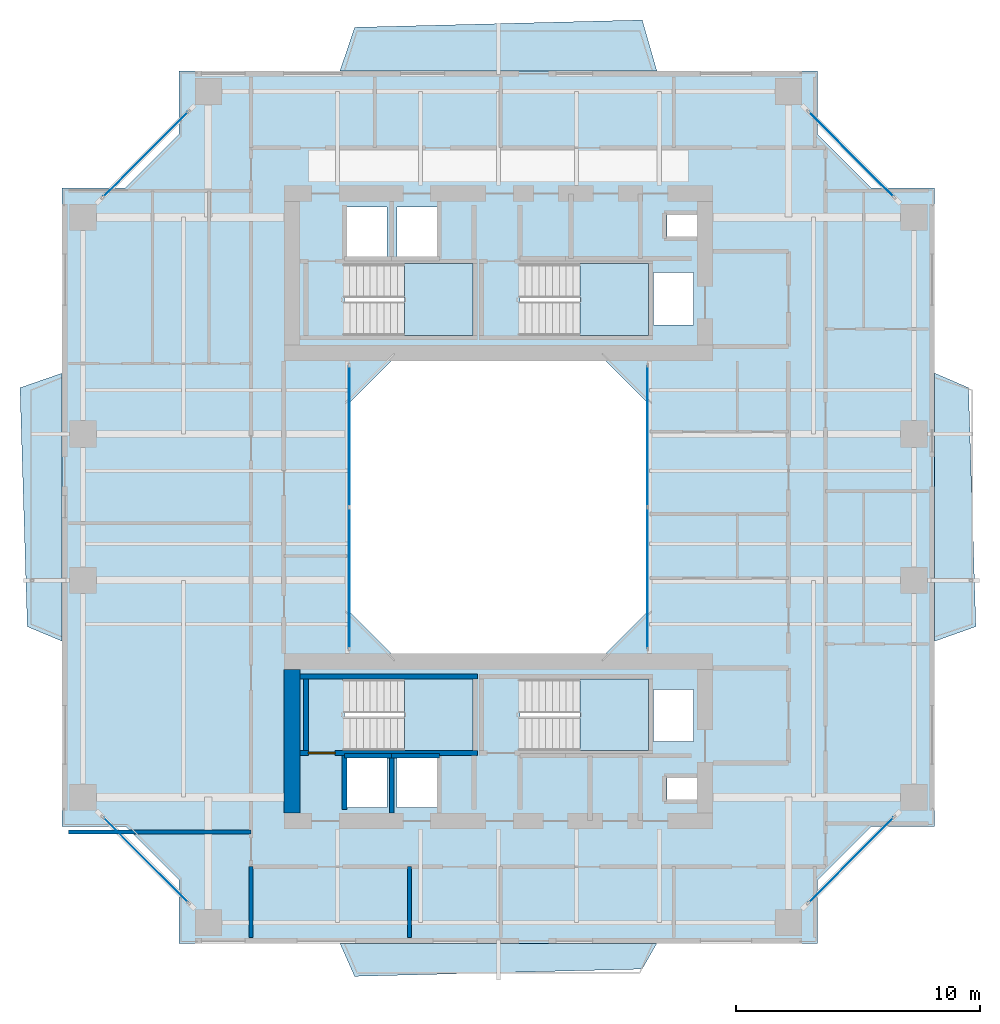
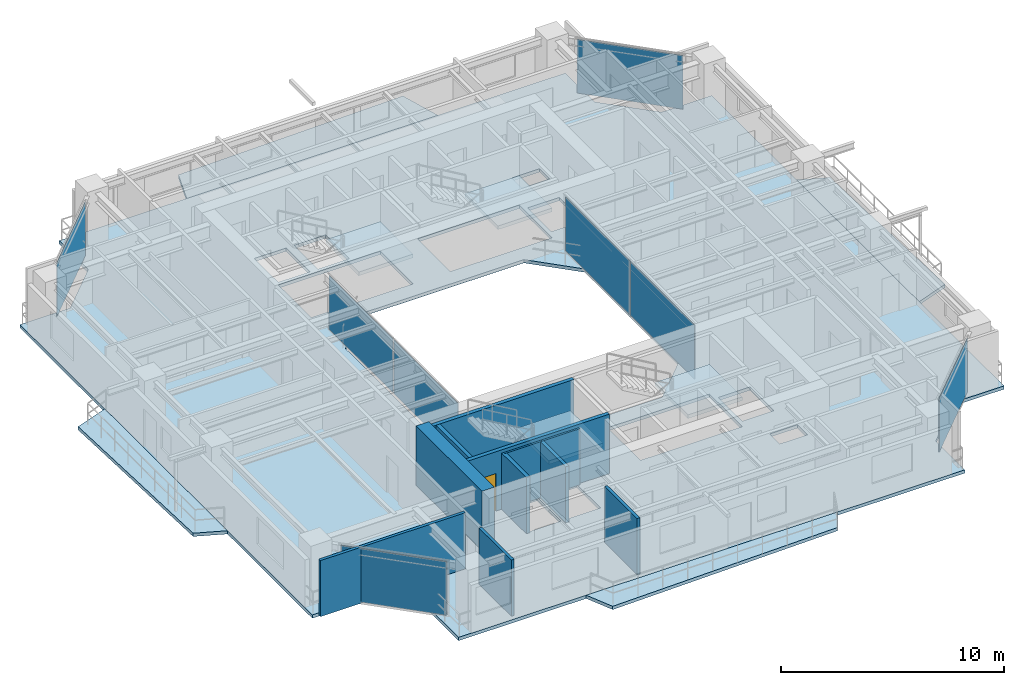
# One storey, part 9 of 17: 11 walls, 9 slabs, 8 plates, 1 door, 1 opening, 10 elements without a shape of their own.
"""IFC4 building model written with IfcOpenShell, lengths in metres."""

from ifc_helpers import new_model, si_unit, direction, frame, frame_2d, origin, origin_2d, place, context, subcontext, project, spatial, polyline, rectangle, outline, extrude, source, transform, mapped, material, layer, layer_set, type_object, element, fill, aggregate, save


model = new_model("IFC4")

# Units and contexts
model_context = context("Model", 3, precision=1e-05, world=origin(), true_north=direction((0.0, 1.0)))
body_context = subcontext(model_context, "Body", "Model", "MODEL_VIEW")
ifc_project = project(units=[si_unit("LENGTHUNIT", "METRE"), si_unit("AREAUNIT", "SQUARE_METRE"), si_unit("VOLUMEUNIT", "CUBIC_METRE"), si_unit("PLANEANGLEUNIT", "RADIAN"), si_unit("MASSUNIT", "GRAM", prefix="KILO"), si_unit("THERMODYNAMICTEMPERATUREUNIT", "KELVIN"), si_unit("POWERUNIT", "WATT")], contexts=[model_context])

# Site, building, storey
site_placement = place(None, origin())
site = spatial("IfcSite", under=ifc_project, at=site_placement, CompositionType="ELEMENT")
building_placement = place(site_placement, origin())
building = spatial("IfcBuilding", under=site, at=building_placement, Name="Qiaomeng Ring Towers", CompositionType="ELEMENT")
storey_placement = place(building_placement, frame((0.0, 0.0, 119.75)))
storey = spatial("IfcBuildingStorey", under=building, at=storey_placement, Name="L34", CompositionType="ELEMENT", Elevation=119.75)

# Slabs
ifc_material_1 = material(Name="Concrete C40", Category="concrete")
ifc_layer_1 = layer(ifc_material_1, 0.179931640625, Name="Concrete C40")
ifc_layer_set_1 = layer_set([ifc_layer_1], Name="Concrete C40")
slab_type_1 = type_object("IfcSlabType", Name="STR-SL-180", PredefinedType="FLOOR", material=ifc_layer_set_1)
slab_1_placement = place(storey_placement, frame((0.0, 0.0, -0.179931640625)))
element("IfcSlab", 1, at=slab_1_placement, inside=storey, type_object=slab_type_1, Name="L34 Tower 1 Annular Floor Slab", PredefinedType="FLOOR", context=body_context, shape_type="SweptSolid", body=[
    extrude(outline(polyline([(5.89990234375, 5.10009765625), (32.10009765625, 5.10009765625), (32.10009765625, 7.699951171875), (34.300048828125, 9.89990234375), (36.89990234375, 9.89990234375), (36.89990234375, 36.10009765625), (34.300048828125, 36.10009765625), (32.10009765625, 38.300048828125), (32.10009765625, 40.89990234375), (5.89990234375, 40.89990234375), (5.89990234375, 38.300048828125), (3.699951171875, 36.10009765625), (1.10009765625, 36.10009765625), (1.10009765625, 9.89990234375), (3.699951171875, 9.89990234375), (5.89990234375, 7.699951171875), (5.89990234375, 5.10009765625)]), holes=[polyline([(12.780029296875, 10.679931640625), (12.780029296875, 12.820068359375), (14.419921875, 12.820068359375), (14.419921875, 10.679931640625), (12.780029296875, 10.679931640625)]), polyline([(14.830078125, 12.820068359375), (16.469970703125, 12.820068359375), (16.469970703125, 10.679931640625), (14.830078125, 10.679931640625), (14.830078125, 12.820068359375)]), polyline([(12.679931640625, 15.949951171875), (17.949951171875, 15.949951171875), (17.949951171875, 13.010009765625), (12.679931640625, 13.010009765625), (12.679931640625, 15.949951171875)]), polyline([(23.199951171875, 29.199951171875), (25.199951171875, 27.199951171875), (25.199951171875, 18.800048828125), (23.199951171875, 16.800048828125), (14.800048828125, 16.800048828125), (12.800048828125, 18.800048828125), (12.800048828125, 27.199951171875), (14.800048828125, 29.199951171875), (23.199951171875, 29.199951171875)]), polyline([(12.679931640625, 32.989990234375), (17.949951171875, 32.989990234375), (17.949951171875, 30.050048828125), (12.679931640625, 30.050048828125), (12.679931640625, 32.989990234375)]), polyline([(12.780029296875, 35.320068359375), (14.419921875, 35.320068359375), (14.419921875, 33.179931640625), (12.780029296875, 33.179931640625), (12.780029296875, 35.320068359375)]), polyline([(14.830078125, 33.179931640625), (14.830078125, 35.320068359375), (16.469970703125, 35.320068359375), (16.469970703125, 33.179931640625), (14.830078125, 33.179931640625)]), polyline([(25.919921875, 11.89990234375), (27.360107421875, 11.89990234375), (27.360107421875, 11.0), (25.919921875, 11.0), (25.919921875, 11.89990234375)]), polyline([(25.360107421875, 15.52001953125), (27.0, 15.52001953125), (27.0, 13.3798828125), (25.360107421875, 13.3798828125), (25.360107421875, 15.52001953125)]), polyline([(19.8798828125, 15.949951171875), (25.14990234375, 15.949951171875), (25.14990234375, 13.010009765625), (19.8798828125, 13.010009765625), (19.8798828125, 15.949951171875)]), polyline([(19.8798828125, 32.989990234375), (25.14990234375, 32.989990234375), (25.14990234375, 30.050048828125), (19.8798828125, 30.050048828125), (19.8798828125, 32.989990234375)]), polyline([(25.360107421875, 32.6201171875), (27.0, 32.6201171875), (27.0, 30.47998046875), (25.360107421875, 30.47998046875), (25.360107421875, 32.6201171875)]), polyline([(25.919921875, 35.0), (27.360107421875, 35.0), (27.360107421875, 34.10009765625), (25.919921875, 34.10009765625), (25.919921875, 35.0)])]), origin(), (0.0, 0.0, 1.0), 0.179931640625),
])
ifc_layer_2 = layer(ifc_material_1, 0.179931640625, Name="Concrete C40")
ifc_layer_set_2 = layer_set([ifc_layer_2], Name="Concrete C40")
slab_type_2 = type_object("IfcSlabType", Name="STR-SL-BAL", PredefinedType="FLOOR", material=ifc_layer_set_2)
slab_2_placement = place(storey_placement, frame((0.0, 0.0, -0.179931640625)))
element("IfcSlab", 2, at=slab_2_placement, inside=storey, type_object=slab_type_2, Name="L34 Tower 1 S Faceted Balcony Slab", PredefinedType="FLOOR", context=body_context, shape_type="SweptSolid", body=[
    extrude(outline(polyline([(24.89990234375, 4.050048828125), (13.10009765625, 3.75), (12.5, 5.10009765625), (25.5, 5.10009765625), (24.89990234375, 4.050048828125)])), origin(), (0.0, 0.0, 1.0), 0.179931640625),
])
slab_3_placement = place(storey_placement, frame((0.0, 0.0, -0.179931640625)))
element("IfcSlab", 3, at=slab_3_placement, inside=storey, type_object=slab_type_2, Name="L34 Tower 1 E Faceted Balcony Slab", PredefinedType="FLOOR", context=body_context, shape_type="SweptSolid", body=[
    extrude(outline(polyline([(38.2900390625, 27.89990234375), (38.590087890625, 18.10009765625), (36.89990234375, 17.5), (36.89990234375, 28.5), (38.2900390625, 27.89990234375)])), origin(), (0.0, 0.0, 1.0), 0.179931640625),
])
slab_4_placement = place(storey_placement, frame((0.0, 0.0, -0.179931640625)))
element("IfcSlab", 4, at=slab_4_placement, inside=storey, type_object=slab_type_2, Name="L34 Tower 1 N Faceted Balcony Slab", PredefinedType="FLOOR", context=body_context, shape_type="SweptSolid", body=[
    extrude(outline(polyline([(12.5, 40.89990234375), (13.10009765625, 42.68994140625), (24.89990234375, 42.989990234375), (25.5, 40.89990234375), (12.5, 40.89990234375)])), origin(), (0.0, 0.0, 1.0), 0.179931640625),
])
slab_5_placement = place(storey_placement, frame((0.0, 0.0, -0.179931640625)))
element("IfcSlab", 5, at=slab_5_placement, inside=storey, type_object=slab_type_2, Name="L34 Tower 1 W Faceted Balcony Slab", PredefinedType="FLOOR", context=body_context, shape_type="SweptSolid", body=[
    extrude(outline(polyline([(-0.330078125, 18.10009765625), (-0.6298828125, 27.89990234375), (1.10009765625, 28.5), (1.10009765625, 17.5), (-0.330078125, 18.10009765625)])), origin(), (0.0, 0.0, 1.0), 0.179931640625),
])

# Stair, slab
ifc_material_2 = material(Name="Precast concrete C40", Category="concrete")
stair_type = type_object("IfcStairType", Name="ARC-ST-325", PredefinedType="HALF_TURN_STAIR", material=ifc_material_2)
stair_1_placement = place(storey_placement, origin())
stair_1 = element("IfcStair", 6, at=stair_1_placement, inside=storey, type_object=stair_type, Name="L34 Tower 1 North Stair 1", PredefinedType="HALF_TURN_STAIR")
ifc_layer_3 = layer(ifc_material_1, 0.199951171875, Name="Concrete C40")
ifc_layer_set_3 = layer_set([ifc_layer_3], Name="Concrete C40")
slab_type_3 = type_object("IfcSlabType", Name="STR-SL-LANDING", PredefinedType="LANDING", material=ifc_layer_set_3)
slab_6_placement = place(storey_placement, frame((0.0, 0.0, 1.425048828125)))
slab_6 = element("IfcSlab", 7, at=slab_6_placement, type_object=slab_type_3, Name="ST1 landing 1", PredefinedType="LANDING", context=body_context, shape_type="SweptSolid", body=[
    extrude(outline(polyline([(15.139892578125, 30.050048828125), (17.949951171875, 30.050048828125), (17.949951171875, 32.989990234375), (15.139892578125, 32.989990234375), (15.139892578125, 30.050048828125)])), origin(), (0.0, 0.0, 1.0), 0.199951171875),
])
aggregate(stair_1, [slab_6])

stair_2_placement = place(storey_placement, origin())
stair_2 = element("IfcStair", 8, at=stair_2_placement, inside=storey, type_object=stair_type, Name="L34 Tower 1 North Stair 2", PredefinedType="HALF_TURN_STAIR")
slab_7_placement = place(storey_placement, frame((0.0, 0.0, 1.425048828125)))
slab_7 = element("IfcSlab", 9, at=slab_7_placement, type_object=slab_type_3, Name="ST2 landing 1", PredefinedType="LANDING", context=body_context, shape_type="SweptSolid", body=[
    extrude(outline(polyline([(22.340087890625, 30.050048828125), (25.14990234375, 30.050048828125), (25.14990234375, 32.989990234375), (22.340087890625, 32.989990234375), (22.340087890625, 30.050048828125)])), origin(), (0.0, 0.0, 1.0), 0.199951171875),
])
aggregate(stair_2, [slab_7])

stair_3_placement = place(storey_placement, origin())
stair_3 = element("IfcStair", 10, at=stair_3_placement, inside=storey, type_object=stair_type, Name="L34 Tower 1 South Stair 3", PredefinedType="HALF_TURN_STAIR")
slab_8_placement = place(storey_placement, frame((0.0, 0.0, 1.425048828125)))
slab_8 = element("IfcSlab", 11, at=slab_8_placement, type_object=slab_type_3, Name="ST3 landing 1", PredefinedType="LANDING", context=body_context, shape_type="SweptSolid", body=[
    extrude(outline(polyline([(15.139892578125, 13.010009765625), (17.949951171875, 13.010009765625), (17.949951171875, 15.949951171875), (15.139892578125, 15.949951171875), (15.139892578125, 13.010009765625)])), origin(), (0.0, 0.0, 1.0), 0.199951171875),
])
aggregate(stair_3, [slab_8])

stair_4_placement = place(storey_placement, origin())
stair_4 = element("IfcStair", 12, at=stair_4_placement, inside=storey, type_object=stair_type, Name="L34 Tower 1 South Stair 4", PredefinedType="HALF_TURN_STAIR")
slab_9_placement = place(storey_placement, frame((0.0, 0.0, 1.425048828125)))
slab_9 = element("IfcSlab", 13, at=slab_9_placement, type_object=slab_type_3, Name="ST4 landing 1", PredefinedType="LANDING", context=body_context, shape_type="SweptSolid", body=[
    extrude(outline(polyline([(22.340087890625, 13.010009765625), (25.14990234375, 13.010009765625), (25.14990234375, 15.949951171875), (22.340087890625, 15.949951171875), (22.340087890625, 13.010009765625)])), origin(), (0.0, 0.0, 1.0), 0.199951171875),
])
aggregate(stair_4, [slab_9])

# Curtain wall, plates
ifc_material_3 = material(Name="Fluorocarbon dark-grey aluminium", Category="aluminium")
ifc_layer_4 = layer(ifc_material_3, 0.139892578125, Name="Fluorocarbon dark-grey aluminium")
ifc_layer_set_4 = layer_set([ifc_layer_4], Name="Fluorocarbon dark-grey aluminium")
curtain_wall_type_1 = type_object("IfcCurtainWallType", Name="ARC-CW-4", PredefinedType="NOTDEFINED", material=ifc_layer_set_4)
curtain_wall_1_placement = place(storey_placement, origin())
curtain_wall_1 = element("IfcCurtainWall", 14, at=curtain_wall_1_placement, inside=storey, type_object=curtain_wall_type_1, Name="L34 Curtain Wall CW4", PredefinedType="NOTDEFINED")
ifc_material_4 = material(Name="Low-E dark-grey laminated double glazing", Category="glass")
ifc_layer_5 = layer(ifc_material_4, 0.028076171875, Name="Low-E dark-grey laminated double glazing")
ifc_layer_set_5 = layer_set([ifc_layer_5], Name="Low-E dark-grey laminated double glazing")
plate_type = type_object("IfcPlateType", Name="ARC-CWP-DARK", PredefinedType="CURTAIN_PANEL", material=ifc_layer_set_5)
shared_shape_1 = source(origin(), body_context, "Body", "SweptSolid", [
    extrude(rectangle(XDim=5.75244140625, YDim=0.028076171875, at=origin_2d()), origin(), (0.0, 0.0, 1.0), 2.93994140625),
])
plate_1_placement = place(storey_placement, frame((12.8798828125, 20.09130859375, 0.06494140625), z_axis=(0.0, 0.0, 1.0), x_axis=(0.0, 1.0, 0.0)))
plate_1 = element("IfcPlate", 15, at=plate_1_placement, type_object=plate_type, Name="CW4 panel 1.1", PredefinedType="CURTAIN_PANEL", context=body_context, shape_type="MappedRepresentation", body=[
    mapped(shared_shape_1, transform((0.0, 0.0, 0.0), x_axis=(1.0, 0.0, 0.0), y_axis=(0.0, 1.0, 0.0), z_axis=(0.0, 0.0, 1.0), scale=1.0)),
])
plate_2_placement = place(storey_placement, frame((12.8798828125, 25.90869140625, 0.06494140625), z_axis=(0.0, 0.0, 1.0), x_axis=(0.0, 1.0, 0.0)))
plate_2 = element("IfcPlate", 16, at=plate_2_placement, type_object=plate_type, Name="CW4 panel 2.1", PredefinedType="CURTAIN_PANEL", context=body_context, shape_type="MappedRepresentation", body=[
    mapped(shared_shape_1, transform((0.0, 0.0, 0.0), x_axis=(1.0, 0.0, 0.0), y_axis=(0.0, 1.0, 0.0), z_axis=(0.0, 0.0, 1.0), scale=1.0)),
])
aggregate(curtain_wall_1, [plate_1, plate_2])

curtain_wall_2_placement = place(storey_placement, origin())
curtain_wall_2 = element("IfcCurtainWall", 17, at=curtain_wall_2_placement, inside=storey, type_object=curtain_wall_type_1, Name="L34 Curtain Wall CW4", PredefinedType="NOTDEFINED")
plate_3_placement = place(storey_placement, frame((25.1201171875, 20.09130859375, 0.06494140625), z_axis=(0.0, 0.0, 1.0), x_axis=(0.0, 1.0, 0.0)))
plate_3 = element("IfcPlate", 18, at=plate_3_placement, type_object=plate_type, Name="CW4 panel 1.1", PredefinedType="CURTAIN_PANEL", context=body_context, shape_type="MappedRepresentation", body=[
    mapped(shared_shape_1, transform((0.0, 0.0, 0.0), x_axis=(1.0, 0.0, 0.0), y_axis=(0.0, 1.0, 0.0), z_axis=(0.0, 0.0, 1.0), scale=1.0)),
])
plate_4_placement = place(storey_placement, frame((25.1201171875, 25.90869140625, 0.06494140625), z_axis=(0.0, 0.0, 1.0), x_axis=(0.0, 1.0, 0.0)))
plate_4 = element("IfcPlate", 19, at=plate_4_placement, type_object=plate_type, Name="CW4 panel 2.1", PredefinedType="CURTAIN_PANEL", context=body_context, shape_type="MappedRepresentation", body=[
    mapped(shared_shape_1, transform((0.0, 0.0, 0.0), x_axis=(1.0, 0.0, 0.0), y_axis=(0.0, 1.0, 0.0), z_axis=(0.0, 0.0, 1.0), scale=1.0)),
])
aggregate(curtain_wall_2, [plate_3, plate_4])

# Curtain wall, plate
ifc_layer_6 = layer(ifc_material_3, 0.14990234375, Name="Fluorocarbon dark-grey aluminium")
ifc_layer_set_6 = layer_set([ifc_layer_6], Name="Fluorocarbon dark-grey aluminium")
curtain_wall_type_2 = type_object("IfcCurtainWallType", Name="ARC-CW-3", PredefinedType="NOTDEFINED", material=ifc_layer_set_6)
curtain_wall_3_placement = place(storey_placement, origin())
curtain_wall_3 = element("IfcCurtainWall", 20, at=curtain_wall_3_placement, inside=storey, type_object=curtain_wall_type_2, Name="L34 Curtain Wall CW3", PredefinedType="NOTDEFINED")
shared_shape_2 = source(origin(), body_context, "Body", "SweptSolid", [
    extrude(rectangle(XDim=4.90869140625, YDim=0.028076171875, at=origin_2d()), origin(), (0.0, 0.0, 1.0), 2.93994140625),
])
plate_5_placement = place(storey_placement, frame((33.47509765625, 8.52490234375, 0.06494140625), z_axis=(0.0, 0.0, 1.0), x_axis=(0.707106781187, 0.707106781187, 0.0)))
plate_5 = element("IfcPlate", 21, at=plate_5_placement, type_object=plate_type, Name="CW3 panel 1.1", PredefinedType="CURTAIN_PANEL", context=body_context, shape_type="MappedRepresentation", body=[
    mapped(shared_shape_2, transform((0.0, 0.0, 0.0), x_axis=(1.0, 0.0, 0.0), y_axis=(0.0, 1.0, 0.0), z_axis=(0.0, 0.0, 1.0), scale=1.0)),
])
aggregate(curtain_wall_3, [plate_5])

curtain_wall_4_placement = place(storey_placement, origin())
curtain_wall_4 = element("IfcCurtainWall", 22, at=curtain_wall_4_placement, inside=storey, type_object=curtain_wall_type_2, Name="L34 Curtain Wall CW3", PredefinedType="NOTDEFINED")
plate_6_placement = place(storey_placement, frame((33.47509765625, 37.47509765625, 0.06494140625), z_axis=(0.0, 0.0, 1.0), x_axis=(-0.707106781187, 0.707106781187, 0.0)))
plate_6 = element("IfcPlate", 23, at=plate_6_placement, type_object=plate_type, Name="CW3 panel 1.1", PredefinedType="CURTAIN_PANEL", context=body_context, shape_type="MappedRepresentation", body=[
    mapped(shared_shape_2, transform((0.0, 0.0, 0.0), x_axis=(1.0, 0.0, 0.0), y_axis=(0.0, 1.0, 0.0), z_axis=(0.0, 0.0, 1.0), scale=1.0)),
])
aggregate(curtain_wall_4, [plate_6])

curtain_wall_5_placement = place(storey_placement, origin())
curtain_wall_5 = element("IfcCurtainWall", 24, at=curtain_wall_5_placement, inside=storey, type_object=curtain_wall_type_2, Name="L34 Curtain Wall CW3", PredefinedType="NOTDEFINED")
plate_7_placement = place(storey_placement, frame((4.52490234375, 37.47509765625, 0.06494140625), z_axis=(0.0, 0.0, 1.0), x_axis=(-0.707106781187, -0.707106781187, 0.0)))
plate_7 = element("IfcPlate", 25, at=plate_7_placement, type_object=plate_type, Name="CW3 panel 1.1", PredefinedType="CURTAIN_PANEL", context=body_context, shape_type="MappedRepresentation", body=[
    mapped(shared_shape_2, transform((0.0, 0.0, 0.0), x_axis=(1.0, 0.0, 0.0), y_axis=(0.0, 1.0, 0.0), z_axis=(0.0, 0.0, 1.0), scale=1.0)),
])
aggregate(curtain_wall_5, [plate_7])

curtain_wall_6_placement = place(storey_placement, origin())
curtain_wall_6 = element("IfcCurtainWall", 26, at=curtain_wall_6_placement, inside=storey, type_object=curtain_wall_type_2, Name="L34 Curtain Wall CW3", PredefinedType="NOTDEFINED")
plate_8_placement = place(storey_placement, frame((4.52490234375, 8.52490234375, 0.06494140625), z_axis=(0.0, 0.0, 1.0), x_axis=(0.707106781187, -0.707106781187, 0.0)))
plate_8 = element("IfcPlate", 27, at=plate_8_placement, type_object=plate_type, Name="CW3 panel 1.1", PredefinedType="CURTAIN_PANEL", context=body_context, shape_type="MappedRepresentation", body=[
    mapped(shared_shape_2, transform((0.0, 0.0, 0.0), x_axis=(1.0, 0.0, 0.0), y_axis=(0.0, 1.0, 0.0), z_axis=(0.0, 0.0, 1.0), scale=1.0)),
])
aggregate(curtain_wall_6, [plate_8])

# Walls
ifc_material_5 = material(Name="Autoclaved aerated concrete block", Category="concrete")
ifc_layer_7 = layer(ifc_material_5, 0.199951171875, Name="Autoclaved aerated concrete block")
ifc_layer_set_7 = layer_set([ifc_layer_7], Name="Autoclaved aerated concrete block")
wall_type_1 = type_object("IfcWallType", Name="ARC-WL-PW1", PredefinedType="PARTITIONING", material=ifc_layer_set_7)
wall_1_placement = place(storey_placement, frame((12.679931640625, 10.60009765625, 0.0), z_axis=(0.0, 0.0, 1.0), x_axis=(0.0, 1.0, 0.0)))
element("IfcWall", 28, at=wall_1_placement, inside=storey, type_object=wall_type_1, Name="L34 Interior Wall PW1", PredefinedType="PARTITIONING", context=body_context, shape_type="SweptSolid", body=[
    extrude(rectangle(XDim=2.2099609375, YDim=0.199951171875, at=frame_2d((1.10498046875, 0.0))), origin(), (0.0, 0.0, 1.0), 3.070068359375),
])
ifc_material_6 = material(Name="Gypsum fireboard steel-stud partition", Category="steel")
ifc_layer_8 = layer(ifc_material_6, 0.14990234375, Name="Gypsum fireboard steel-stud partition")
ifc_layer_set_8 = layer_set([ifc_layer_8], Name="Gypsum fireboard steel-stud partition")
wall_type_2 = type_object("IfcWallType", Name="ARC-WL-PW3", PredefinedType="PARTITIONING", material=ifc_layer_set_8)
for number, where, z_axis, x_axis, name in (
    (29, (15.35009765625, 5.35009765625, 0.0), (0.0, 0.0, 1.0), (0.0, 1.0, 0.0), "L34 Interior Wall PW3"),
    (30, (8.85009765625, 5.35009765625, 0.0), (0.0, 0.0, 1.0), (0.0, 1.0, 0.0), "L34 Interior Wall PW3"),
):
    element("IfcWall", number, at=place(storey_placement, frame(where, z_axis=z_axis, x_axis=x_axis)), inside=storey, type_object=wall_type_2, Name=name, PredefinedType="PARTITIONING", context=body_context, shape_type="SweptSolid", body=[
        extrude(rectangle(XDim=2.89990234375, YDim=0.14990234375, at=frame_2d((1.449951171875, 0.0))), origin(), (0.0, 0.0, 1.0), 3.070068359375),
    ])
wall_2_placement = place(storey_placement, frame((1.35009765625, 9.669921875, 0.0), z_axis=(0.0, 0.0, 1.0), x_axis=(1.0, 0.0, 0.0)))
element("IfcWall", 31, at=wall_2_placement, inside=storey, type_object=wall_type_2, Name="L34 Interior Wall PW3", PredefinedType="PARTITIONING", context=body_context, shape_type="SweptSolid", body=[
    extrude(rectangle(XDim=7.5, YDim=0.14990234375, at=frame_2d((3.75, 0.0))), origin(), (0.0, 0.0, 1.0), 3.070068359375),
])
ifc_layer_9 = layer(ifc_material_1, 0.199951171875, Name="Concrete C40")
ifc_layer_set_9 = layer_set([ifc_layer_9], Name="Concrete C40")
wall_type_3 = type_object("IfcWallType", Name="STR-WL-STSHAFT", PredefinedType="SHEAR", material=ifc_layer_set_9)
wall_3_placement = place(storey_placement, frame((12.679931640625, 12.800048828125, 0.0), z_axis=(0.0, 0.0, 1.0), x_axis=(1.0, 0.0, 0.0)))
element("IfcWall", 32, at=wall_3_placement, inside=storey, type_object=wall_type_3, Name="L34 Lift LP6 Shaft Back Wall", PredefinedType="SHEAR", context=body_context, shape_type="SweptSolid", body=[
    extrude(rectangle(XDim=1.940185546875, YDim=0.179931640625, at=frame_2d((0.97021484375, 0.0))), origin(), (0.0, 0.0, 1.0), 3.070068359375),
])
wall_4_placement = place(storey_placement, frame((14.6201171875, 10.449951171875, 0.0), z_axis=(0.0, 0.0, 1.0), x_axis=(0.0, 1.0, 0.0)))
element("IfcWall", 33, at=wall_4_placement, inside=storey, type_object=wall_type_3, Name="L34 Lift LP6-LP4 Shaft Divider Wall", PredefinedType="SHEAR", context=body_context, shape_type="SweptSolid", body=[
    extrude(rectangle(XDim=2.35009765625, YDim=0.179931640625, at=frame_2d((1.175048828125, 0.0))), origin(), (0.0, 0.0, 1.0), 3.070068359375),
])
wall_5_placement = place(storey_placement, frame((14.6201171875, 12.800048828125, 0.0), z_axis=(0.0, 0.0, 1.0), x_axis=(1.0, 0.0, 0.0)))
element("IfcWall", 34, at=wall_5_placement, inside=storey, type_object=wall_type_3, Name="L34 Lift LP4 Shaft Back Wall", PredefinedType="SHEAR", context=body_context, shape_type="SweptSolid", body=[
    extrude(rectangle(XDim=1.9599609375, YDim=0.179931640625, at=frame_2d((0.97998046875, 0.0))), origin(), (0.0, 0.0, 1.0), 3.070068359375),
])

# Wall, opening, door
wall_6_placement = place(storey_placement, frame((10.85009765625, 12.909912109375, 0.0), z_axis=(0.0, 0.0, 1.0), x_axis=(1.0, 0.0, 0.0)))
wall_6 = element("IfcWall", 35, at=wall_6_placement, inside=storey, type_object=wall_type_3, Name="L34 Stair ST3 South Shaft Shear Wall", PredefinedType="SHEAR", context=body_context, shape_type="SweptSolid", body=[
    extrude(rectangle(XDim=7.2998046875, YDim=0.199951171875, at=frame_2d((3.64990234375, 0.0))), origin(), (0.0, 0.0, 1.0), 3.25),
])
opening_placement = place(wall_6_placement, frame((0.35009765625, 0.0, 0.0)))
opening = element("IfcOpeningElement", 36, at=opening_placement, cuts=wall_6, Name="Opening FD3", PredefinedType="OPENING", context=body_context, shape_type="SweptSolid", body=[
    extrude(rectangle(XDim=1.10009765625, YDim=2.050048828125, at=frame_2d((0.550048828125, 1.02490234375))), frame((0.0, 0.10986328125, 0.0), z_axis=(0.0, -1.0, 0.0), x_axis=(1.0, 0.0, 0.0)), (0.0, 0.0, 1.0), 0.219970703125),
])
ifc_material_7 = material(Name="Galvanised steel", Category="steel")
door_type = type_object("IfcDoorType", Name="ARC-DR-FD3", OperationType="NOTDEFINED", PredefinedType="DOOR", material=ifc_material_7)
shared_shape_3 = source(origin(), body_context, "Body", "SweptSolid", [
    extrude(rectangle(XDim=1.10009765625, YDim=2.050048828125, at=frame_2d((0.550048828125, 1.02490234375))), frame((0.0, 0.02490234375, 0.0), z_axis=(0.0, -1.0, 0.0), x_axis=(1.0, 0.0, 0.0)), (0.0, 0.0, 1.0), 0.050048828125),
])
door_placement = place(opening_placement, frame((1.10009765625, 0.0, 0.0), z_axis=(0.0, 0.0, 1.0), x_axis=(-1.0, 0.0, 0.0)))
door = element("IfcDoor", 37, at=door_placement, inside=storey, type_object=door_type, Name="L34 Stair ST3 Exit Door", OperationType="SINGLE_SWING_RIGHT", OverallHeight=2.050048828125, OverallWidth=1.10009765625, PredefinedType="DOOR", context=body_context, shape_type="MappedRepresentation", body=[
    mapped(shared_shape_3, transform((0.0, 0.0, 0.0), x_axis=(1.0, 0.0, 0.0), y_axis=(0.0, 1.0, 0.0), z_axis=(0.0, 0.0, 1.0), scale=1.0)),
])
fill(opening, door)

# Walls
wall_7_placement = place(storey_placement, frame((10.85009765625, 16.050048828125, 0.0), z_axis=(0.0, 0.0, 1.0), x_axis=(1.0, 0.0, 0.0)))
element("IfcWall", 38, at=wall_7_placement, inside=storey, type_object=wall_type_3, Name="L34 Stair ST3 North Shaft Shear Wall", PredefinedType="SHEAR", context=body_context, shape_type="SweptSolid", body=[
    extrude(rectangle(XDim=7.2998046875, YDim=0.199951171875, at=frame_2d((3.64990234375, 0.0))), origin(), (0.0, 0.0, 1.0), 3.25),
])
wall_8_placement = place(storey_placement, frame((11.10009765625, 13.010009765625, 0.0), z_axis=(0.0, 0.0, 1.0), x_axis=(0.0, 1.0, 0.0)))
element("IfcWall", 39, at=wall_8_placement, inside=storey, type_object=wall_type_3, Name="L34 Stair ST3 West Shaft Shear Wall", PredefinedType="SHEAR", context=body_context, shape_type="SweptSolid", body=[
    extrude(rectangle(XDim=2.93994140625, YDim=0.199951171875, at=frame_2d((1.469970703125, 0.0))), origin(), (0.0, 0.0, 1.0), 3.25),
])
ifc_material_8 = material(Name="Concrete C55", Category="concrete")
ifc_layer_10 = layer(ifc_material_8, 0.64990234375, Name="Concrete C55")
ifc_layer_set_10 = layer_set([ifc_layer_10], Name="Concrete C55")
wall_type_4 = type_object("IfcWallType", Name="STR-WL-SW2A", PredefinedType="SHEAR", material=ifc_layer_set_10)
wall_9_placement = place(storey_placement, frame((10.52490234375, 10.449951171875, 0.0), z_axis=(0.0, 0.0, 1.0), x_axis=(0.0, 1.0, 0.0)))
element("IfcWall", 40, at=wall_9_placement, inside=storey, type_object=wall_type_4, Name="L34 T1SC west core shear wall", PredefinedType="SHEAR", context=body_context, shape_type="SweptSolid", body=[
    extrude(rectangle(XDim=5.900146484375, YDim=0.64990234375, at=frame_2d((2.9501953125, 0.0))), origin(), (0.0, 0.0, 1.0), 3.25),
])

save(model, "model.ifc")
